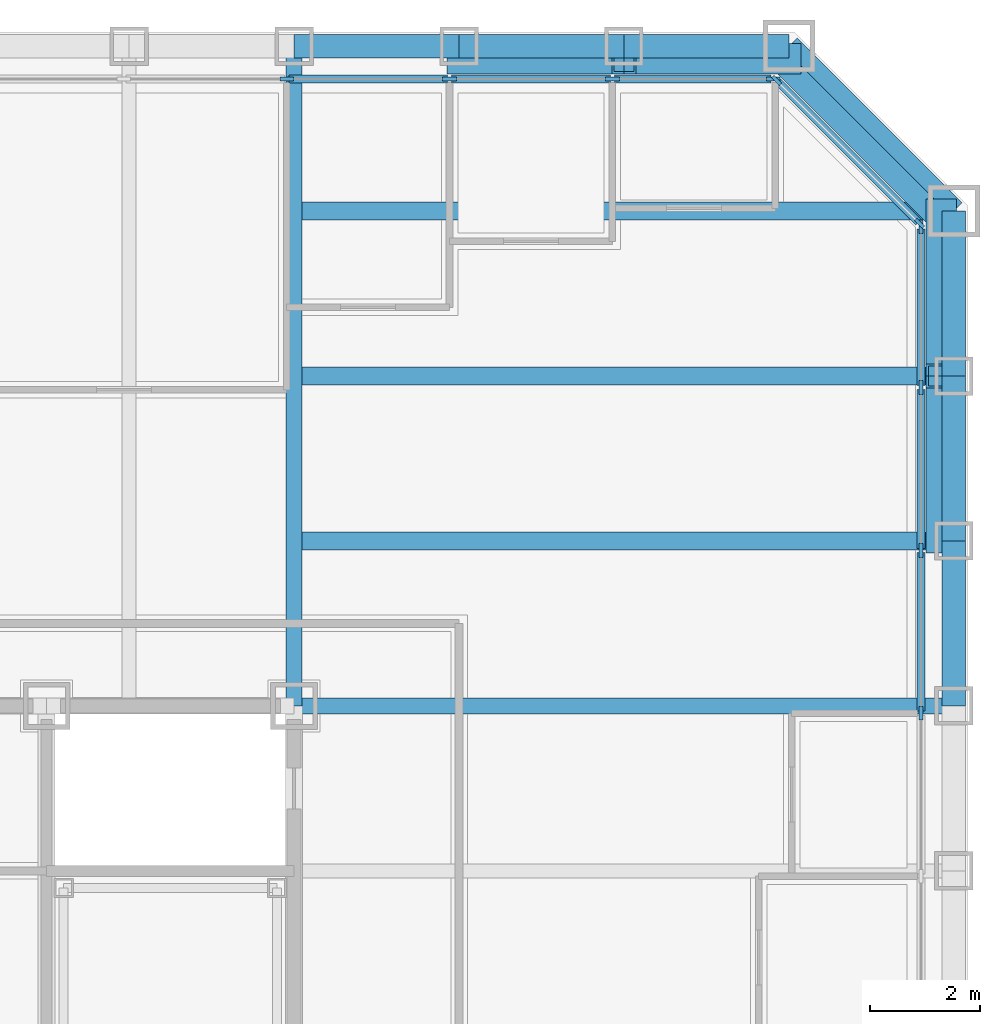
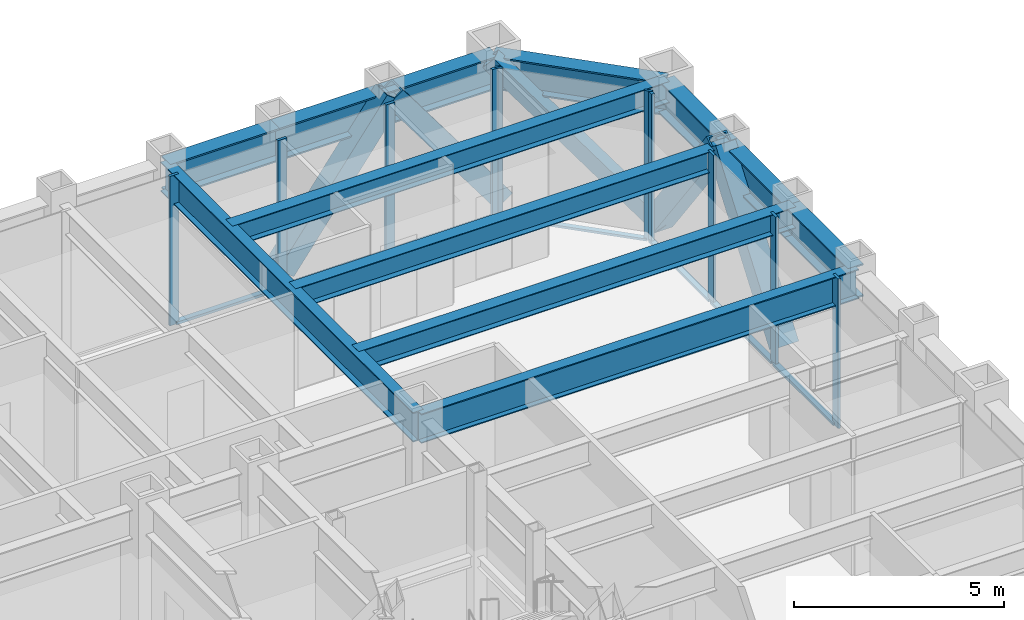
# One storey, part 6 of 16: 22 members, 12 beams, 3 elements without a shape of their own.
"""IFC4 building model written with IfcOpenShell, lengths in metres."""

from ifc_helpers import new_model, si_unit, direction, frame, origin, origin_2d, place, context, subcontext, project, spatial, rectangle, hollow_rectangle, i_section, extrude, material, layer, layer_set, material_profile, profile_set, type_object, element, aggregate, save


model = new_model("IFC4")

# Units and contexts
model_context = context("Model", 3, precision=1e-05, world=origin(), true_north=direction((0.0, 1.0)))
body_context = subcontext(model_context, "Body", "Model", "MODEL_VIEW")
ifc_project = project(units=[si_unit("LENGTHUNIT", "METRE"), si_unit("AREAUNIT", "SQUARE_METRE"), si_unit("VOLUMEUNIT", "CUBIC_METRE"), si_unit("PLANEANGLEUNIT", "RADIAN"), si_unit("MASSUNIT", "GRAM", prefix="KILO")], contexts=[model_context])

# Site, building, storey
site_placement = place(None, origin())
site = spatial("IfcSite", under=ifc_project, at=site_placement, CompositionType="ELEMENT")
building_placement = place(site_placement, origin())
building = spatial("IfcBuilding", under=site, at=building_placement, Name="Chuquiago Exchange Tower", CompositionType="ELEMENT")
storey_placement = place(building_placement, frame((0.0, 0.0, 55.800048828125)))
storey = spatial("IfcBuildingStorey", under=building, at=storey_placement, Name="L11", CompositionType="ELEMENT", Elevation=55.800048828125)

# Beams
ifc_material_1 = material(Name="Steel ASTM A992", Category="steel")
ifc_material_profile_1 = material_profile(ifc_material_1, i_section(OverallWidth=0.3251953125, OverallDepth=0.6171875, WebThickness=0.013916015625, FlangeThickness=0.021484375, at=origin_2d()), Name="W24X117")
ifc_profile_set_1 = profile_set([ifc_material_profile_1], Name="Steel ASTM A992")
beam_type_1 = type_object("IfcBeamType", Name="B5 W24X117", PredefinedType="BEAM", material=ifc_profile_set_1)
for number, where, z_axis, x_axis, name in (
    (1, (33.0, 36.0, 3.7314453125), (1.0, 0.0, 0.0), (0.0, 1.0, 0.0), "FB-L12-corner-33_36-45_36-0"),
    (2, (33.0, 39.0, 3.7314453125), (1.0, 0.0, 0.0), (0.0, 1.0, 0.0), "FB-L12-corner-33_39-45_39-0"),
    (3, (33.0, 42.0, 3.7314453125), (1.0, 0.0, 0.0), (0.0, 1.0, 0.0), "FB-L12-corner-33_42-45_42-0"),
):
    element("IfcBeam", number, at=place(storey_placement, frame(where, z_axis=z_axis, x_axis=x_axis)), inside=storey, type_object=beam_type_1, Name=name, PredefinedType="BEAM", context=body_context, shape_type="SweptSolid", body=[
        extrude(i_section(OverallWidth=0.3251953125, OverallDepth=0.6171875, WebThickness=0.013916015625, FlangeThickness=0.021484375, at=origin_2d()), origin(), (0.0, 0.0, 1.0), 12.0),
    ])

# Curtain wall, members
ifc_material_2 = material(Name="Aluminium curtain wall system", Category="aluminium")
ifc_layer_1 = layer(ifc_material_2, 0.25)
ifc_layer_set_1 = layer_set([ifc_layer_1], Name="CW1 trading floor curtain wall")
curtain_wall_type_1 = type_object("IfcCurtainWallType", Name="CW1 trading floor curtain wall", PredefinedType="NOTDEFINED", material=ifc_layer_set_1)
curtain_wall_1_placement = place(storey_placement, origin())
curtain_wall_1 = element("IfcCurtainWall", 4, at=curtain_wall_1_placement, inside=storey, type_object=curtain_wall_type_1, Name="CW1 curtain wall L11", PredefinedType="NOTDEFINED")
ifc_material_3 = material(Name="Aluminium mullion, pale anodised", Category="aluminium")
ifc_material_profile_2 = material_profile(ifc_material_3, rectangle(XDim=0.074951171875, YDim=0.25, at=origin_2d()), Name="AL 75x250")
ifc_profile_set_2 = profile_set([ifc_material_profile_2], Name="Aluminium mullion, pale anodised")
member_type_1 = type_object("IfcMemberType", Name="CW1-M mullion 75x250", PredefinedType="MULLION", material=ifc_profile_set_2)
member_1_placement = place(storey_placement, frame((44.39990234375, 32.8662109375, -0.300048828125), z_axis=(0.0, 0.0, 1.0), x_axis=(-1.0, 0.0, 0.0)))
member_1 = element("IfcMember", 5, at=member_1_placement, type_object=member_type_1, Name="CW1 mullion 11", PredefinedType="MULLION", context=body_context, shape_type="SweptSolid", body=[
    extrude(rectangle(XDim=0.074951171875, YDim=0.25, at=origin_2d()), origin(), (0.0, 0.0, 1.0), 4.340087890625),
])
member_2_placement = place(storey_placement, frame((44.39990234375, 35.827880859375, -0.300048828125), z_axis=(0.0, 0.0, 1.0), x_axis=(-1.0, 0.0, 0.0)))
member_2 = element("IfcMember", 6, at=member_2_placement, type_object=member_type_1, Name="CW1 mullion 12", PredefinedType="MULLION", context=body_context, shape_type="SweptSolid", body=[
    extrude(rectangle(XDim=0.074951171875, YDim=0.25, at=origin_2d()), origin(), (0.0, 0.0, 1.0), 4.340087890625),
])
member_3_placement = place(storey_placement, frame((44.39990234375, 38.789794921875, -0.300048828125), z_axis=(0.0, 0.0, 1.0), x_axis=(-1.0, 0.0, 0.0)))
member_3 = element("IfcMember", 7, at=member_3_placement, type_object=member_type_1, Name="CW1 mullion 13", PredefinedType="MULLION", context=body_context, shape_type="SweptSolid", body=[
    extrude(rectangle(XDim=0.074951171875, YDim=0.25, at=origin_2d()), origin(), (0.0, 0.0, 1.0), 4.340087890625),
])
member_4_placement = place(storey_placement, frame((44.39990234375, 41.714111328125, -0.300048828125), z_axis=(0.0, 0.0, 1.0), x_axis=(-1.0, 0.0, 0.0)))
member_4 = element("IfcMember", 8, at=member_4_placement, type_object=member_type_1, Name="CW1 mullion 14", PredefinedType="MULLION", context=body_context, shape_type="SweptSolid", body=[
    extrude(rectangle(XDim=0.074951171875, YDim=0.25, at=origin_2d()), origin(), (0.0, 0.0, 1.0), 4.340087890625),
])

curtain_wall_2_placement = place(storey_placement, origin())
curtain_wall_2 = element("IfcCurtainWall", 9, at=curtain_wall_2_placement, inside=storey, type_object=curtain_wall_type_1, Name="CW1 curtain wall L11", PredefinedType="NOTDEFINED")
member_5_placement = place(storey_placement, frame((41.714111328125, 44.39990234375, -0.300048828125), z_axis=(0.0, 0.0, 1.0), x_axis=(0.0, -1.0, 0.0)))
member_5 = element("IfcMember", 10, at=member_5_placement, type_object=member_type_1, Name="CW1 mullion 1", PredefinedType="MULLION", context=body_context, shape_type="SweptSolid", body=[
    extrude(rectangle(XDim=0.074951171875, YDim=0.25, at=origin_2d()), origin(), (0.0, 0.0, 1.0), 4.340087890625),
])
member_6_placement = place(storey_placement, frame((38.789794921875, 44.39990234375, -0.300048828125), z_axis=(0.0, 0.0, 1.0), x_axis=(0.0, -1.0, 0.0)))
member_6 = element("IfcMember", 11, at=member_6_placement, type_object=member_type_1, Name="CW1 mullion 2", PredefinedType="MULLION", context=body_context, shape_type="SweptSolid", body=[
    extrude(rectangle(XDim=0.074951171875, YDim=0.25, at=origin_2d()), origin(), (0.0, 0.0, 1.0), 4.340087890625),
])
member_7_placement = place(storey_placement, frame((35.827880859375, 44.39990234375, -0.300048828125), z_axis=(0.0, 0.0, 1.0), x_axis=(0.0, -1.0, 0.0)))
member_7 = element("IfcMember", 12, at=member_7_placement, type_object=member_type_1, Name="CW1 mullion 3", PredefinedType="MULLION", context=body_context, shape_type="SweptSolid", body=[
    extrude(rectangle(XDim=0.074951171875, YDim=0.25, at=origin_2d()), origin(), (0.0, 0.0, 1.0), 4.340087890625),
])
member_8_placement = place(storey_placement, frame((32.8662109375, 44.39990234375, -0.300048828125), z_axis=(0.0, 0.0, 1.0), x_axis=(0.0, -1.0, 0.0)))
member_8 = element("IfcMember", 13, at=member_8_placement, type_object=member_type_1, Name="CW1 mullion 4", PredefinedType="MULLION", context=body_context, shape_type="SweptSolid", body=[
    extrude(rectangle(XDim=0.074951171875, YDim=0.25, at=origin_2d()), origin(), (0.0, 0.0, 1.0), 4.340087890625),
])

# Member
ifc_material_4 = material(Name="Aluminium transom, pale anodised", Category="aluminium")
ifc_material_profile_3 = material_profile(ifc_material_4, rectangle(XDim=0.14990234375, YDim=0.074951171875, at=origin_2d()), Name="AL 150x75")
ifc_profile_set_3 = profile_set([ifc_material_profile_3], Name="Aluminium transom, pale anodised")
member_type_2 = type_object("IfcMemberType", Name="CW1-T transom 75x150", PredefinedType="MULLION", material=ifc_profile_set_3)
member_9_placement = place(storey_placement, frame((44.39990234375, 32.90380859375, -0.262451171875), z_axis=(0.0, 1.0, 0.0), x_axis=(-1.0, 0.0, 0.0)))
member_9 = element("IfcMember", 14, at=member_9_placement, type_object=member_type_2, Name="CW1 transom 11.1", PredefinedType="MULLION", context=body_context, shape_type="SweptSolid", body=[
    extrude(rectangle(XDim=0.14990234375, YDim=0.074951171875, at=origin_2d()), origin(), (0.0, 0.0, 1.0), 2.88671875),
])

member_10_placement = place(storey_placement, frame((44.39990234375, 35.865478515625, -0.262451171875), z_axis=(0.0, 1.0, 0.0), x_axis=(-1.0, 0.0, 0.0)))
member_10 = element("IfcMember", 15, at=member_10_placement, type_object=member_type_2, Name="CW1 transom 12.1", PredefinedType="MULLION", context=body_context, shape_type="SweptSolid", body=[
    extrude(rectangle(XDim=0.14990234375, YDim=0.074951171875, at=origin_2d()), origin(), (0.0, 0.0, 1.0), 2.88671875),
])

member_11_placement = place(storey_placement, frame((44.39990234375, 38.8271484375, -0.262451171875), z_axis=(0.0, 1.0, 0.0), x_axis=(-1.0, 0.0, 0.0)))
member_11 = element("IfcMember", 16, at=member_11_placement, type_object=member_type_2, Name="CW1 transom 13.1", PredefinedType="MULLION", context=body_context, shape_type="SweptSolid", body=[
    extrude(rectangle(XDim=0.14990234375, YDim=0.074951171875, at=origin_2d()), origin(), (0.0, 0.0, 1.0), 2.849365234375),
])

aggregate(curtain_wall_1, [member_1, member_2, member_3, member_4, member_9, member_10, member_11])

member_12_placement = place(storey_placement, frame((41.676513671875, 44.39990234375, -0.262451171875), z_axis=(-1.0, 0.0, 0.0), x_axis=(0.0, -1.0, 0.0)))
member_12 = element("IfcMember", 17, at=member_12_placement, type_object=member_type_2, Name="CW1 transom 1.1", PredefinedType="MULLION", context=body_context, shape_type="SweptSolid", body=[
    extrude(rectangle(XDim=0.14990234375, YDim=0.074951171875, at=origin_2d()), origin(), (0.0, 0.0, 1.0), 2.849365234375),
])

member_13_placement = place(storey_placement, frame((38.752197265625, 44.39990234375, -0.262451171875), z_axis=(-1.0, 0.0, 0.0), x_axis=(0.0, -1.0, 0.0)))
member_13 = element("IfcMember", 18, at=member_13_placement, type_object=member_type_2, Name="CW1 transom 2.1", PredefinedType="MULLION", context=body_context, shape_type="SweptSolid", body=[
    extrude(rectangle(XDim=0.14990234375, YDim=0.074951171875, at=origin_2d()), origin(), (0.0, 0.0, 1.0), 2.88671875),
])

member_14_placement = place(storey_placement, frame((35.79052734375, 44.39990234375, -0.262451171875), z_axis=(-1.0, 0.0, 0.0), x_axis=(0.0, -1.0, 0.0)))
member_14 = element("IfcMember", 19, at=member_14_placement, type_object=member_type_2, Name="CW1 transom 3.1", PredefinedType="MULLION", context=body_context, shape_type="SweptSolid", body=[
    extrude(rectangle(XDim=0.14990234375, YDim=0.074951171875, at=origin_2d()), origin(), (0.0, 0.0, 1.0), 2.88671875),
])

aggregate(curtain_wall_2, [member_5, member_6, member_7, member_8, member_12, member_13, member_14])

# Curtain wall, members
ifc_material_5 = material(Name="Aluminium curtain wall system", Category="aluminium")
ifc_layer_2 = layer(ifc_material_5, 0.199951171875)
ifc_layer_set_2 = layer_set([ifc_layer_2], Name="CW3 facet curtain wall")
curtain_wall_type_2 = type_object("IfcCurtainWallType", Name="CW3 facet curtain wall", PredefinedType="NOTDEFINED", material=ifc_layer_set_2)
curtain_wall_3_placement = place(storey_placement, origin())
curtain_wall_3 = element("IfcCurtainWall", 20, at=curtain_wall_3_placement, inside=storey, type_object=curtain_wall_type_2, Name="CW3 curtain wall L11", PredefinedType="NOTDEFINED")
ifc_material_6 = material(Name="Aluminium mullion, pale anodised", Category="aluminium")
ifc_material_profile_4 = material_profile(ifc_material_6, rectangle(XDim=0.06494140625, YDim=0.199951171875, at=origin_2d()), Name="AL 65x200")
ifc_profile_set_4 = profile_set([ifc_material_profile_4], Name="Aluminium mullion, pale anodised")
member_type_3 = type_object("IfcMemberType", Name="CW3-M mullion 65x200", PredefinedType="MULLION", material=ifc_profile_set_4)
member_15_placement = place(storey_placement, frame((44.376953125, 41.7744140625, -0.300048828125), z_axis=(0.0, 0.0, 1.0), x_axis=(-0.707106781187, -0.707106781187, 0.0)))
member_15 = element("IfcMember", 21, at=member_15_placement, type_object=member_type_3, Name="CW3 mullion 1", PredefinedType="MULLION", context=body_context, shape_type="SweptSolid", body=[
    extrude(rectangle(XDim=0.06494140625, YDim=0.199951171875, at=origin_2d()), origin(), (0.0, 0.0, 1.0), 4.340087890625),
])
member_16_placement = place(storey_placement, frame((41.7744140625, 44.376953125, -0.300048828125), z_axis=(0.0, 0.0, 1.0), x_axis=(-0.707106781187, -0.707106781187, 0.0)))
member_16 = element("IfcMember", 22, at=member_16_placement, type_object=member_type_3, Name="CW3 mullion 2", PredefinedType="MULLION", context=body_context, shape_type="SweptSolid", body=[
    extrude(rectangle(XDim=0.06494140625, YDim=0.199951171875, at=origin_2d()), origin(), (0.0, 0.0, 1.0), 4.340087890625),
])
ifc_material_7 = material(Name="Aluminium transom, pale anodised", Category="aluminium")
ifc_material_profile_5 = material_profile(ifc_material_7, rectangle(XDim=0.139892578125, YDim=0.06494140625, at=origin_2d()), Name="AL 140x65")
ifc_profile_set_5 = profile_set([ifc_material_profile_5], Name="Aluminium transom, pale anodised")
member_type_4 = type_object("IfcMemberType", Name="CW3-T transom 65x140", PredefinedType="MULLION", material=ifc_profile_set_5)
member_17_placement = place(storey_placement, frame((44.35400390625, 41.79736328125, -0.267578125), z_axis=(-0.707106781187, 0.707106781187, 0.0), x_axis=(-0.707106781187, -0.707106781187, 0.0)))
member_17 = element("IfcMember", 23, at=member_17_placement, type_object=member_type_4, Name="CW3 transom 1.1", PredefinedType="MULLION", context=body_context, shape_type="SweptSolid", body=[
    extrude(rectangle(XDim=0.139892578125, YDim=0.06494140625, at=origin_2d()), origin(), (0.0, 0.0, 1.0), 3.61572265625),
])
aggregate(curtain_wall_3, [member_15, member_16, member_17])

# Beams
ifc_material_8 = material(Name="Steel ASTM A992", Category="steel")
ifc_material_profile_6 = material_profile(ifc_material_8, i_section(OverallWidth=0.2919921875, OverallDepth=0.8583984375, WebThickness=0.01708984375, FlangeThickness=0.031005859375, at=origin_2d()), Name="W33X169")
ifc_profile_set_6 = profile_set([ifc_material_profile_6], Name="Steel ASTM A992")
beam_type_2 = type_object("IfcBeamType", Name="G2 W33X169", PredefinedType="BEAM", material=ifc_profile_set_6)
for number, where, z_axis, x_axis, name in (
    (24, (33.0, 33.0, 3.610595703125), (0.0, 1.0, 0.0), (-1.0, 0.0, 0.0), "FB-L12-girder-33_33-33_45-0"),
    (25, (33.0, 33.0, 3.610595703125), (1.0, 0.0, 0.0), (0.0, 1.0, 0.0), "FB-L12-girder-33_33-45_33-0"),
):
    element("IfcBeam", number, at=place(storey_placement, frame(where, z_axis=z_axis, x_axis=x_axis)), inside=storey, type_object=beam_type_2, Name=name, PredefinedType="BEAM", context=body_context, shape_type="SweptSolid", body=[
        extrude(i_section(OverallWidth=0.2919921875, OverallDepth=0.8583984375, WebThickness=0.01708984375, FlangeThickness=0.031005859375, at=origin_2d()), origin(), (0.0, 0.0, 1.0), 12.0),
    ])

# Members
ifc_material_9 = material(Name="Steel ASTM A500 Grade C", Category="steel")
ifc_material_profile_7 = material_profile(ifc_material_9, hollow_rectangle(XDim=0.406494140625, YDim=0.406494140625, WallThickness=0.0146484375, at=origin_2d()), Name="HSS16X16X5/8")
ifc_profile_set_7 = profile_set([ifc_material_profile_7], Name="Steel ASTM A500 Grade C")
member_type_5 = type_object("IfcMemberType", Name="LB4 HSS16X16X5/8", PredefinedType="BRACE", material=ifc_profile_set_7)
member_18_placement = place(storey_placement, frame((44.78662109375, 41.78662109375, 0.0), z_axis=(-0.512077265487, 0.512077265487, 0.689604051861), x_axis=(-0.707106781187, -0.707106781187, 0.0)))
element("IfcMember", 26, at=member_18_placement, inside=storey, type_object=member_type_5, Name="LB-L11-45_42-42_45", PredefinedType="BRACE", context=body_context, shape_type="SweptSolid", body=[
    extrude(hollow_rectangle(XDim=0.406494140625, YDim=0.406494140625, WallThickness=0.0146484375, at=origin_2d()), origin(), (0.0, 0.0, 1.0), 5.8583984375),
])
ifc_material_10 = material(Name="Steel ASTM A572 Grade 50", Category="steel")
ifc_material_profile_8 = material_profile(ifc_material_10, hollow_rectangle(XDim=0.550048828125, YDim=0.550048828125, WallThickness=0.044921875, at=origin_2d()), Name="BOX550X550X45")
ifc_profile_set_8 = profile_set([ifc_material_profile_8], Name="Steel ASTM A572 Grade 50")
member_type_6 = type_object("IfcMemberType", Name="MB1 BOX550X550X45", PredefinedType="BRACE", material=ifc_profile_set_8)
for number, where, z_axis, x_axis, name in (
    (27, (44.77001953125, 36.0, 0.0), (0.0, 0.596173923302, 0.802855312728), (-1.0, 0.0, 0.0), "Mega diagonal L11 E face"),
    (28, (44.77001953125, 42.0, 0.0), (0.0, -0.596173923302, 0.802855312728), (1.0, 0.0, 0.0), "Mega diagonal L11 E face"),
    (29, (42.0, 44.77001953125, 0.0), (-0.596173923302, 0.0, 0.802855312728), (0.0, -1.0, 0.0), "Mega diagonal L11 N face"),
    (30, (36.0, 44.77001953125, 0.0), (0.596173923302, 0.0, 0.802855312728), (0.0, 1.0, 0.0), "Mega diagonal L11 N face"),
):
    element("IfcMember", number, at=place(storey_placement, frame(where, z_axis=z_axis, x_axis=x_axis)), inside=storey, type_object=member_type_6, Name=name, PredefinedType="BRACE", context=body_context, shape_type="SweptSolid", body=[
        extrude(hollow_rectangle(XDim=0.550048828125, YDim=0.550048828125, WallThickness=0.044921875, at=origin_2d()), origin(), (0.0, 0.0, 1.0), 5.031982421875),
    ])

# Beams
ifc_material_11 = material(Name="Steel ASTM A992", Category="steel")
ifc_material_profile_9 = material_profile(ifc_material_11, i_section(OverallWidth=0.424072265625, OverallDepth=0.947509765625, WebThickness=0.02392578125, FlangeThickness=0.042724609375, at=origin_2d()), Name="W36X302")
ifc_profile_set_9 = profile_set([ifc_material_profile_9], Name="Steel ASTM A992")
beam_type_3 = type_object("IfcBeamType", Name="SP1 W36X302", PredefinedType="SPANDREL", material=ifc_profile_set_9)
for number, where, z_axis, x_axis, name in (
    (31, (45.0, 33.0, 3.566162109375), (0.0, 1.0, 0.0), (-1.0, 0.0, 0.0), "SPB-L12-45_33-45_36"),
    (32, (45.0, 36.0, 3.566162109375), (0.0, 1.0, 0.0), (-1.0, 0.0, 0.0), "SPB-L12-45_36-45_39"),
    (33, (45.0, 39.0, 3.566162109375), (0.0, 1.0, 0.0), (-1.0, 0.0, 0.0), "SPB-L12-45_39-45_42"),
):
    element("IfcBeam", number, at=place(storey_placement, frame(where, z_axis=z_axis, x_axis=x_axis)), inside=storey, type_object=beam_type_3, Name=name, PredefinedType="SPANDREL", context=body_context, shape_type="SweptSolid", body=[
        extrude(i_section(OverallWidth=0.424072265625, OverallDepth=0.947509765625, WebThickness=0.02392578125, FlangeThickness=0.042724609375, at=origin_2d()), origin(), (0.0, 0.0, 1.0), 3.0),
    ])
beam_placement = place(storey_placement, frame((45.0, 42.0, 3.566162109375), z_axis=(-0.707106781187, 0.707106781187, 0.0), x_axis=(-0.707106781187, -0.707106781187, 0.0)))
element("IfcBeam", 34, at=beam_placement, inside=storey, type_object=beam_type_3, Name="SPB-L12-45_42-42_45", PredefinedType="SPANDREL", context=body_context, shape_type="SweptSolid", body=[
    extrude(i_section(OverallWidth=0.424072265625, OverallDepth=0.947509765625, WebThickness=0.02392578125, FlangeThickness=0.042724609375, at=origin_2d()), origin(), (0.0, 0.0, 1.0), 4.24267578125),
])
for number, where, z_axis, x_axis, name in (
    (35, (42.0, 45.0, 3.566162109375), (-1.0, 0.0, 0.0), (0.0, -1.0, 0.0), "SPB-L12-42_45-39_45"),
    (36, (39.0, 45.0, 3.566162109375), (-1.0, 0.0, 0.0), (0.0, -1.0, 0.0), "SPB-L12-39_45-36_45"),
    (37, (36.0, 45.0, 3.566162109375), (-1.0, 0.0, 0.0), (0.0, -1.0, 0.0), "SPB-L12-36_45-33_45"),
):
    element("IfcBeam", number, at=place(storey_placement, frame(where, z_axis=z_axis, x_axis=x_axis)), inside=storey, type_object=beam_type_3, Name=name, PredefinedType="SPANDREL", context=body_context, shape_type="SweptSolid", body=[
        extrude(i_section(OverallWidth=0.424072265625, OverallDepth=0.947509765625, WebThickness=0.02392578125, FlangeThickness=0.042724609375, at=origin_2d()), origin(), (0.0, 0.0, 1.0), 3.0),
    ])

save(model, "model.ifc")
